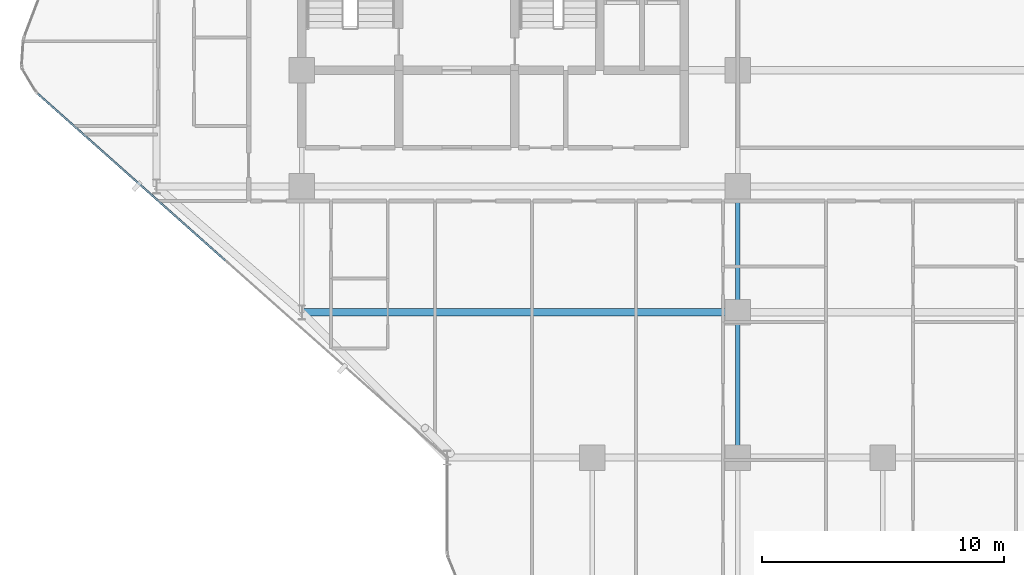
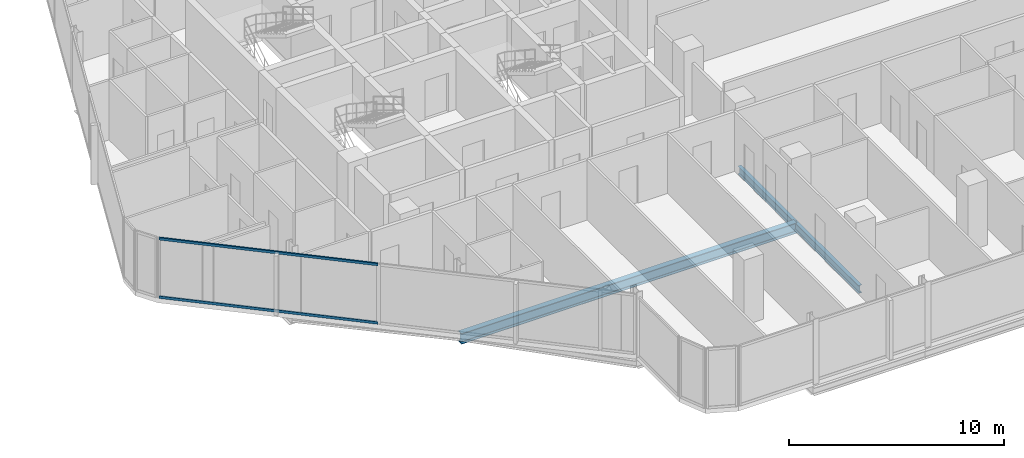
# One storey, part 5 of 30: 3 beams, 2 members, 1 element without a shape of its own.
"""IFC4 building model written with IfcOpenShell, lengths in metres."""

from ifc_helpers import new_model, si_unit, direction, frame, origin, origin_2d, place, context, subcontext, project, spatial, hollow_rectangle, i_section, extrude, material, layer, layer_set, material_profile, profile_set, type_object, element, aggregate, save


model = new_model("IFC4")

# Units and contexts
model_context = context("Model", 3, precision=1e-05, world=origin(), true_north=direction((0.0, 1.0)))
body_context = subcontext(model_context, "Body", "Model", "MODEL_VIEW")
ifc_project = project(units=[si_unit("LENGTHUNIT", "METRE"), si_unit("AREAUNIT", "SQUARE_METRE"), si_unit("VOLUMEUNIT", "CUBIC_METRE"), si_unit("PLANEANGLEUNIT", "RADIAN"), si_unit("MASSUNIT", "GRAM", prefix="KILO")], contexts=[model_context])

# Site, building, storey
site_placement = place(None, origin())
site = spatial("IfcSite", under=ifc_project, at=site_placement, CompositionType="ELEMENT")
building_placement = place(site_placement, origin())
building = spatial("IfcBuilding", under=site, at=building_placement, Name="Keshet Zoharim Tower", CompositionType="ELEMENT")
storey_placement = place(building_placement, frame((0.0, 0.0, 116.800048828125)))
storey = spatial("IfcBuildingStorey", under=building, at=storey_placement, Name="L28", CompositionType="ELEMENT", Elevation=116.800048828125)

# Beams
ifc_material_1 = material(Name="Steel S355", Category="steel")
ifc_material_profile_1 = material_profile(ifc_material_1, i_section(OverallWidth=0.300048828125, OverallDepth=0.60009765625, WebThickness=0.015380859375, FlangeThickness=0.030029296875, FilletRadius=0.027099609375, at=origin_2d()), Name="HEB600")
ifc_profile_set_1 = profile_set([ifc_material_profile_1], Name="Steel S355")
beam_type_1 = type_object("IfcBeamType", Name="BM-LNG-HB600", PredefinedType="BEAM", material=ifc_profile_set_1)
beam_1_placement = place(storey_placement, frame((15.0, 12.699951171875, -0.614990234375), z_axis=(1.0, 0.0, 0.0), x_axis=(0.0, 1.0, 0.0)))
element("IfcBeam", 1, at=beam_1_placement, inside=storey, type_object=beam_type_1, Name="L28 Primary Girder X-009", PredefinedType="BEAM", context=body_context, shape_type="SweptSolid", body=[
    extrude(i_section(OverallWidth=0.300048828125, OverallDepth=0.60009765625, WebThickness=0.015380859375, FlangeThickness=0.030029296875, FilletRadius=0.027099609375, at=origin_2d()), origin(), (0.0, 0.0, 1.0), 18.0),
])
ifc_material_profile_2 = material_profile(ifc_material_1, i_section(OverallWidth=0.18994140625, OverallDepth=0.449951171875, WebThickness=0.009521484375, FlangeThickness=0.0146484375, FilletRadius=0.02099609375, at=origin_2d()), Name="IPE450")
ifc_profile_set_2 = profile_set([ifc_material_profile_2], Name="Steel S355")
beam_type_2 = type_object("IfcBeamType", Name="BM-PRI-IP450", PredefinedType="BEAM", material=ifc_profile_set_2)
beam_2_placement = place(storey_placement, frame((33.0, 6.699951171875, -0.5400390625), z_axis=(0.0, 1.0, 0.0), x_axis=(-1.0, 0.0, 0.0)))
element("IfcBeam", 2, at=beam_2_placement, inside=storey, type_object=beam_type_2, Name="L28 Primary Girder Y-006", PredefinedType="BEAM", context=body_context, shape_type="SweptSolid", body=[
    extrude(i_section(OverallWidth=0.18994140625, OverallDepth=0.449951171875, WebThickness=0.009521484375, FlangeThickness=0.0146484375, FilletRadius=0.02099609375, at=origin_2d()), origin(), (0.0, 0.0, 1.0), 6.0),
])
beam_3_placement = place(storey_placement, frame((33.0, 12.699951171875, -0.5400390625), z_axis=(0.0, 1.0, 0.0), x_axis=(-1.0, 0.0, 0.0)))
element("IfcBeam", 3, at=beam_3_placement, inside=storey, type_object=beam_type_2, Name="L28 Primary Girder Y-007", PredefinedType="BEAM", context=body_context, shape_type="SweptSolid", body=[
    extrude(i_section(OverallWidth=0.18994140625, OverallDepth=0.449951171875, WebThickness=0.009521484375, FlangeThickness=0.0146484375, FilletRadius=0.02099609375, at=origin_2d()), origin(), (0.0, 0.0, 1.0), 5.199951171875),
])

# Curtain wall, members
ifc_material_2 = material(Name="Aluminium 6063-T6", Category="aluminium")
ifc_layer = layer(ifc_material_2, 0.159912109375)
ifc_layer_set = layer_set([ifc_layer], Name="Aluminium 6063-T6")
curtain_wall_type = type_object("IfcCurtainWallType", Name="CW-SYS-03", PredefinedType="NOTDEFINED", material=ifc_layer_set)
curtain_wall_placement = place(storey_placement, origin())
curtain_wall = element("IfcCurtainWall", 4, at=curtain_wall_placement, inside=storey, type_object=curtain_wall_type, Name="L28 Unitised Curtain Wall 07 Part 2", PredefinedType="NOTDEFINED")
ifc_material_profile_3 = material_profile(ifc_material_2, hollow_rectangle(XDim=0.080078125, YDim=0.139892578125, WallThickness=0.00390625, at=origin_2d()), Name="TRN-80x140")
ifc_profile_set_3 = profile_set([ifc_material_profile_3], Name="Aluminium 6063-T6")
member_type = type_object("IfcMemberType", Name="CWT-T14", PredefinedType="USERDEFINED", material=ifc_profile_set_3)
member_1_placement = place(storey_placement, frame((11.8388671875, 14.84326171875, 0.034912109375), z_axis=(-0.747411916254, 0.664360916552, 0.0), x_axis=(-0.664360916552, -0.747411916254, 0.0)))
member_1 = element("IfcMember", 5, at=member_1_placement, type_object=member_type, Name="CW-03 transom 2.1", ObjectType="TRANSOM", PredefinedType="USERDEFINED", context=body_context, shape_type="SweptSolid", body=[
    extrude(hollow_rectangle(XDim=0.080078125, YDim=0.139892578125, WallThickness=0.00390625, at=origin_2d()), origin(), (0.0, 0.0, 1.0), 10.37109375),
])
member_2_placement = place(storey_placement, frame((11.8388671875, 14.84326171875, 3.344970703125), z_axis=(-0.747411916254, 0.664360916552, 0.0), x_axis=(-0.664360916552, -0.747411916254, 0.0)))
member_2 = element("IfcMember", 6, at=member_2_placement, type_object=member_type, Name="CW-03 transom 2.2", ObjectType="TRANSOM", PredefinedType="USERDEFINED", context=body_context, shape_type="SweptSolid", body=[
    extrude(hollow_rectangle(XDim=0.080078125, YDim=0.139892578125, WallThickness=0.00390625, at=origin_2d()), origin(), (0.0, 0.0, 1.0), 10.37109375),
])
aggregate(curtain_wall, [member_1, member_2])

save(model, "model.ifc")
